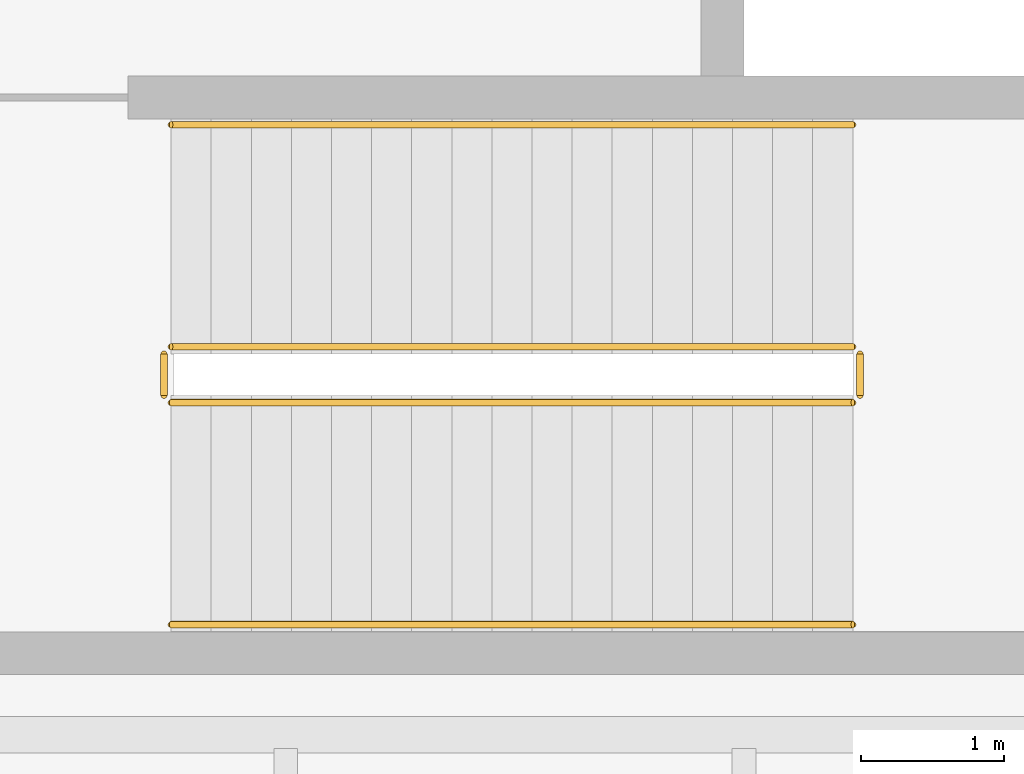
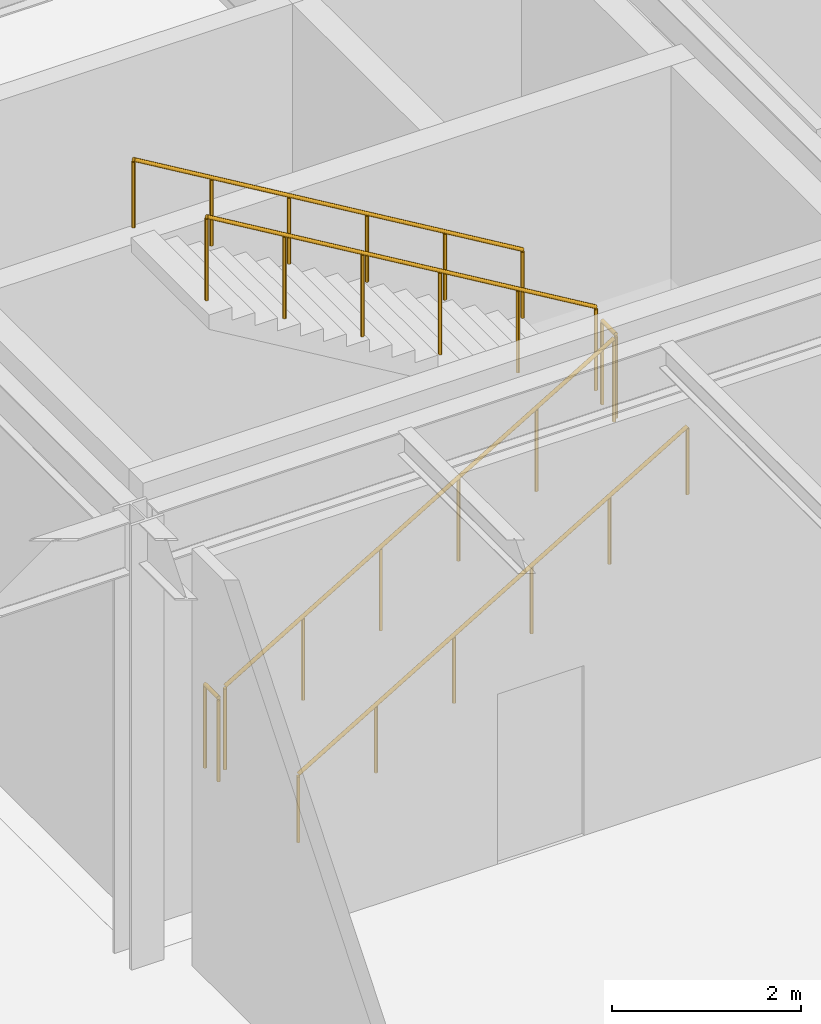
# One storey, part 129 of 142: 6 railings.
"""IFC4 building model written with IfcOpenShell, lengths in metres."""

import ifcopenshell
import ifcopenshell.guid

model = None  # the IFC model being written
_history = None  # IfcOwnerHistory: only IFC2X3 demands one
_inside = {}  # id of a spatial element -> (the spatial element, [elements in it])
_under = {}  # id of a project, library or spatial element -> (it, [spatial elements below it])
_declared = {}  # id of a project -> (the project, [libraries it declares])
_typed = {}  # id of a type object -> (the type object, [elements of that type])
_made_of = {}  # id of a material, layer set ... -> (it, [elements and type objects made of it])


def new_model(schema):
    """Start an empty IFC model of exactly this schema.

    Asked for "IFC4X3", IfcOpenShell would pick the latest addendum, in which some entities
    have other attributes; the version numbers below select the first issue.
    IFC2X3 requires an IfcOwnerHistory on every rooted entity: one is made here for all.
    """
    global model, _history
    if schema == "IFC4X3":
        model = ifcopenshell.file(schema_version=(4, 3, 0, 0))
    else:
        model = ifcopenshell.file(schema=schema)
    _inside.clear()
    _under.clear()
    _declared.clear()
    _typed.clear()
    _made_of.clear()
    _history = None
    if model.schema == "IFC2X3":
        org = make("IfcOrganization", Name="unknown")
        user = make(
            "IfcPersonAndOrganization",
            ThePerson=make("IfcPerson", FamilyName="unknown"),
            TheOrganization=org,
        )
        app = make(
            "IfcApplication",
            ApplicationDeveloper=org,
            Version="unknown",
            ApplicationFullName="unknown",
            ApplicationIdentifier="unknown",
        )
        _history = make(
            "IfcOwnerHistory",
            OwningUser=user,
            OwningApplication=app,
            ChangeAction="ADDED",
            CreationDate=0,
        )
    return model


def make(cls, **values):
    """One entity of the class cls with the attributes given. An attribute that is None is left unset."""
    return model.create_entity(
        cls, **{name: value for name, value in values.items() if value is not None}
    )


def rooted(cls, **values):
    """An entity with a GlobalId (a new one), such as an element, a storey or a relation."""
    return make(cls, GlobalId=ifcopenshell.guid.new(), OwnerHistory=_history, **values)


def si_unit(unit_type, name, prefix=None):
    """IfcSIUnit, for example si_unit("LENGTHUNIT", "METRE", prefix="MILLI")."""
    return make("IfcSIUnit", UnitType=unit_type, Prefix=prefix, Name=name)


def assignment(units):
    """IfcUnitAssignment: the units of a project."""
    return None if units is None else make("IfcUnitAssignment", Units=units)


def point(xyz):
    """IfcCartesianPoint."""
    return None if xyz is None else make("IfcCartesianPoint", Coordinates=xyz)


def direction(xyz):
    """IfcDirection."""
    return None if xyz is None else make("IfcDirection", DirectionRatios=xyz)


def frame(location, z_axis=None, x_axis=None):
    """IfcAxis2Placement3D, a coordinate frame: its origin and axes. An axis left out is left unset."""
    return make(
        "IfcAxis2Placement3D",
        Location=point(location),
        Axis=direction(z_axis),
        RefDirection=direction(x_axis),
    )


def frame_2d(location, x_axis=None):
    """IfcAxis2Placement2D, a coordinate frame in the plane: its origin and x axis."""
    return make(
        "IfcAxis2Placement2D", Location=point(location), RefDirection=direction(x_axis)
    )


def origin():
    """The frame at (0, 0, 0) with its axes left unset."""
    return frame((0.0, 0.0, 0.0))


def origin_2d():
    """The frame at (0, 0) in the plane with its x axis left unset."""
    return frame_2d((0.0, 0.0))


def place(relative_to, where):
    """IfcLocalPlacement: puts the frame where relative to a parent placement (None: the world)."""
    return make(
        "IfcLocalPlacement", PlacementRelTo=relative_to, RelativePlacement=where
    )


def context(
    kind, dimensions, precision=None, world=None, true_north=None, identifier=None
):
    """IfcGeometricRepresentationContext, for example the 3D "Model" context."""
    return make(
        "IfcGeometricRepresentationContext",
        ContextIdentifier=identifier,
        ContextType=kind,
        CoordinateSpaceDimension=dimensions,
        Precision=precision,
        WorldCoordinateSystem=world,
        TrueNorth=true_north,
    )


def subcontext(parent, identifier, kind, view, scale=None):
    """IfcGeometricRepresentationSubContext, for example "Body" below "Model"."""
    return make(
        "IfcGeometricRepresentationSubContext",
        ContextIdentifier=identifier,
        ContextType=kind,
        ParentContext=parent,
        TargetScale=scale,
        TargetView=view,
    )


def project(units=None, contexts=None):
    """IfcProject with its units and contexts."""
    return rooted(
        "IfcProject",
        Name="project",
        RepresentationContexts=contexts,
        UnitsInContext=assignment(units),
    )


def spatial(cls, under=None, at=None, **own):
    """A site, building, storey or space (cls), placed at a placement, below another one or the project."""
    s = rooted(cls, ObjectPlacement=at, **own)
    if under is not None:
        _under.setdefault(under.id(), (under, []))[1].append(s)
    return s


def profile(cls, at=None, kind="AREA", **sizes):
    """A parametric profile (cls). Its sizes go by their IFC names, for example OverallWidth=200.0."""
    return make(cls, ProfileType=kind, Position=at, **sizes)


def circle(**sizes):
    """IfcCircleProfileDef."""
    return profile("IfcCircleProfileDef", **sizes)


def extrude(swept, where, along, depth):
    """IfcExtrudedAreaSolid: the profile swept, set in the frame where, extruded along a direction by depth."""
    return make(
        "IfcExtrudedAreaSolid",
        SweptArea=swept,
        Position=where,
        ExtrudedDirection=direction(along),
        Depth=depth,
    )


def shape(context_of_items, identifier, shape_type, items):
    """IfcShapeRepresentation: the items that make up one representation, for example the "Body"."""
    return make(
        "IfcShapeRepresentation",
        ContextOfItems=context_of_items,
        RepresentationIdentifier=identifier,
        RepresentationType=shape_type,
        Items=items,
    )


def material(Name=None, Category=None):
    """IfcMaterial."""
    return make("IfcMaterial", Name=Name, Category=Category)


def made_of(thing, what):
    """Note that an element or type object is made of a material, layer set ...; save() writes the relation."""
    if what is not None:
        _made_of.setdefault(what.id(), (what, []))[1].append(thing)
    return thing


def type_object(cls, material=None, **own):
    """A type object (cls), such as IfcWallType, which elements share."""
    return made_of(rooted(cls, **own), material)


def element(
    cls,
    number,
    at=None,
    inside=None,
    cuts=None,
    type_object=None,
    material=None,
    context=None,
    identifier="Body",
    shape_type=None,
    held_by="IfcProductDefinitionShape",
    body=None,
    shapes=None,
    **own,
):
    """One element of the class cls, such as IfcWall. Its Tag is "e" and its number.

    at: its placement. inside: the storey or other place that contains it. cuts: it is an
    opening in that element (IfcRelVoidsElement). A single representation is given by context,
    identifier, shape_type and body (its items); several are given by shapes. held_by: the class
    of the entity that holds the representations. save() writes the other relations.
    """
    e = rooted(cls, Tag="e%d" % number, ObjectPlacement=at, **own)
    if body is not None:
        shapes = [shape(context, identifier, shape_type, body)]
    if shapes is not None:
        e.Representation = make(held_by, Representations=shapes)
    if inside is not None:
        _inside.setdefault(inside.id(), (inside, []))[1].append(e)
    if cuts is not None:
        rooted(
            "IfcRelVoidsElement", RelatingBuildingElement=cuts, RelatedOpeningElement=e
        )
    if type_object is not None:
        _typed.setdefault(type_object.id(), (type_object, []))[1].append(e)
    return made_of(e, material)


def aggregate(whole, parts):
    """IfcRelAggregates: a whole, such as a stair, and the parts it consists of."""
    return rooted("IfcRelAggregates", RelatingObject=whole, RelatedObjects=parts)


def save(model, path):
    """Write the relations noted so far, then the file.

    IfcRelAggregates (storeys below a building ...), IfcRelContainedInSpatialStructure (elements
    in a storey), IfcRelDefinesByType, IfcRelAssociatesMaterial and IfcRelDeclares: one each for
    every whole, place, type object, material and project.
    """
    for whole, parts in _under.values():
        aggregate(whole, parts)
    for where, things in _inside.values():
        rooted(
            "IfcRelContainedInSpatialStructure",
            RelatedElements=things,
            RelatingStructure=where,
        )
    for kind, things in _typed.values():
        rooted("IfcRelDefinesByType", RelatedObjects=things, RelatingType=kind)
    for what, things in _made_of.values():
        rooted("IfcRelAssociatesMaterial", RelatedObjects=things, RelatingMaterial=what)
    for by, libraries in _declared.values():
        rooted("IfcRelDeclares", RelatingContext=by, RelatedDefinitions=libraries)
    model.write(path)


model = new_model("IFC4")

# Units and contexts
model_context = context("Model", 3, precision=1e-05, world=origin(), true_north=direction((0.0, 1.0)))
body_context = subcontext(model_context, "Body", "Model", "MODEL_VIEW")
ifc_project = project(units=[si_unit("LENGTHUNIT", "METRE"), si_unit("AREAUNIT", "SQUARE_METRE"), si_unit("VOLUMEUNIT", "CUBIC_METRE"), si_unit("PLANEANGLEUNIT", "RADIAN"), si_unit("MASSUNIT", "GRAM", prefix="KILO")], contexts=[model_context])

# Site, building, storey
site_placement = place(None, origin())
site = spatial("IfcSite", under=ifc_project, at=site_placement, CompositionType="ELEMENT")
building_placement = place(site_placement, origin())
building = spatial("IfcBuilding", under=site, at=building_placement, Name="Coralgate Yard Interchange", CompositionType="ELEMENT")
storey_placement = place(building_placement, origin())
storey = spatial("IfcBuildingStorey", under=building, at=storey_placement, Name="L00", CompositionType="ELEMENT", Elevation=0.0)

# Railings
ifc_material_1 = material(Name="Grade 316 marine stainless steel and toughened glass balustrade", Category="steel")
railing_type_1 = type_object("IfcRailingType", Name="RLG-GD1100", PredefinedType="BALUSTRADE", material=ifc_material_1)
railing_1_placement = place(storey_placement, frame((50.39990234375, 11.919921875, 0.166748046875)))
element("IfcRailing", 1, at=railing_1_placement, inside=storey, type_object=railing_type_1, Name="L00 ST-02 stair guard 1", PredefinedType="BALUSTRADE", context=body_context, shape_type="SweptSolid", body=[
    extrude(circle(Radius=0.02392578125, at=origin_2d()), frame((0.0, 0.0, 1.076171875), z_axis=(0.859299802514, 0.0, 0.511472237174), x_axis=(0.0, 1.0, 0.0)), (0.0, 0.0, 1.0), 5.539306640625),
    extrude(circle(Radius=0.02099609375, at=origin_2d()), origin(), (0.0, 0.0, 1.0), 1.051513671875),
    extrude(circle(Radius=0.02099609375, at=origin_2d()), frame((0.951904296875, 0.0, 0.566650390625)), (0.0, 0.0, 1.0), 1.051513671875),
    extrude(circle(Radius=0.02099609375, at=origin_2d()), frame((1.904052734375, 0.0, 1.13330078125)), (0.0, 0.0, 1.0), 1.051513671875),
    extrude(circle(Radius=0.02099609375, at=origin_2d()), frame((2.85595703125, 0.0, 1.699951171875)), (0.0, 0.0, 1.0), 1.051513671875),
    extrude(circle(Radius=0.02099609375, at=origin_2d()), frame((3.80810546875, 0.0, 2.2666015625)), (0.0, 0.0, 1.0), 1.051513671875),
    extrude(circle(Radius=0.02099609375, at=origin_2d()), frame((4.760009765625, 0.0, 2.833251953125)), (0.0, 0.0, 1.0), 1.051513671875),
])
railing_2_placement = place(storey_placement, frame((55.2099609375, 11.969970703125, 3.0)))
element("IfcRailing", 2, at=railing_2_placement, inside=storey, type_object=railing_type_1, Name="L00 ST-02 stair guard 2", PredefinedType="BALUSTRADE", context=body_context, shape_type="SweptSolid", body=[
    extrude(circle(Radius=0.02392578125, at=origin_2d()), frame((0.0, 0.0, 1.076171875), z_axis=(0.0, 1.0, 0.0), x_axis=(-1.0, 0.0, 0.0)), (0.0, 0.0, 1.0), 0.2900390625),
    extrude(circle(Radius=0.02099609375, at=origin_2d()), origin(), (0.0, 0.0, 1.0), 1.051513671875),
    extrude(circle(Radius=0.02099609375, at=origin_2d()), frame((0.0, 0.2900390625, 0.0)), (0.0, 0.0, 1.0), 1.051513671875),
])
railing_3_placement = place(storey_placement, frame((55.159912109375, 12.31005859375, 3.166748046875)))
element("IfcRailing", 3, at=railing_3_placement, inside=storey, type_object=railing_type_1, Name="L00 ST-02 stair guard 3", PredefinedType="BALUSTRADE", context=body_context, shape_type="SweptSolid", body=[
    extrude(circle(Radius=0.02392578125, at=origin_2d()), frame((0.0, 0.0, 1.076171875), z_axis=(-0.859299802514, 0.0, 0.511472237174), x_axis=(0.0, -1.0, 0.0)), (0.0, 0.0, 1.0), 5.539306640625),
    extrude(circle(Radius=0.02099609375, at=origin_2d()), origin(), (0.0, 0.0, 1.0), 1.051513671875),
    extrude(circle(Radius=0.02099609375, at=origin_2d()), frame((-0.951904296875, 0.0, 0.566650390625)), (0.0, 0.0, 1.0), 1.051513671875),
    extrude(circle(Radius=0.02099609375, at=origin_2d()), frame((-1.904052734375, 0.0, 1.13330078125)), (0.0, 0.0, 1.0), 1.051513671875),
    extrude(circle(Radius=0.02099609375, at=origin_2d()), frame((-2.85595703125, 0.0, 1.699951171875)), (0.0, 0.0, 1.0), 1.051513671875),
    extrude(circle(Radius=0.02099609375, at=origin_2d()), frame((-3.80810546875, 0.0, 2.2666015625)), (0.0, 0.0, 1.0), 1.051513671875),
    extrude(circle(Radius=0.02099609375, at=origin_2d()), frame((-4.760009765625, 0.0, 2.833251953125)), (0.0, 0.0, 1.0), 1.051513671875),
])
railing_4_placement = place(storey_placement, frame((50.35009765625, 11.969970703125, 0.0)))
element("IfcRailing", 4, at=railing_4_placement, inside=storey, type_object=railing_type_1, Name="L00 ST-02 stair guard 4", PredefinedType="BALUSTRADE", context=body_context, shape_type="SweptSolid", body=[
    extrude(circle(Radius=0.02392578125, at=origin_2d()), frame((0.0, 0.0, 1.076171875), z_axis=(0.0, 1.0, 0.0), x_axis=(-1.0, 0.0, 0.0)), (0.0, 0.0, 1.0), 0.2900390625),
    extrude(circle(Radius=0.02099609375, at=origin_2d()), origin(), (0.0, 0.0, 1.0), 1.051513671875),
    extrude(circle(Radius=0.02099609375, at=origin_2d()), frame((0.0, 0.2900390625, 0.0)), (0.0, 0.0, 1.0), 1.051513671875),
])
ifc_material_2 = material(Name="Grade 316 marine stainless steel", Category="steel")
railing_type_2 = type_object("IfcRailingType", Name="RLG-HR900", PredefinedType="HANDRAIL", material=ifc_material_2)
railing_5_placement = place(storey_placement, frame((50.39990234375, 10.3701171875, 0.166748046875)))
element("IfcRailing", 5, at=railing_5_placement, inside=storey, type_object=railing_type_2, Name="L00 ST-02 stair handrail 1", PredefinedType="HANDRAIL", context=body_context, shape_type="SweptSolid", body=[
    extrude(circle(Radius=0.02392578125, at=origin_2d()), frame((0.0, 0.0, 0.8759765625), z_axis=(0.859299802514, 0.0, 0.511472237174), x_axis=(0.0, 1.0, 0.0)), (0.0, 0.0, 1.0), 5.539306640625),
    extrude(circle(Radius=0.02099609375, at=origin_2d()), origin(), (0.0, 0.0, 1.0), 0.851318359375),
    extrude(circle(Radius=0.02099609375, at=origin_2d()), frame((0.951904296875, 0.0, 0.566650390625)), (0.0, 0.0, 1.0), 0.851318359375),
    extrude(circle(Radius=0.02099609375, at=origin_2d()), frame((1.904052734375, 0.0, 1.13330078125)), (0.0, 0.0, 1.0), 0.851318359375),
    extrude(circle(Radius=0.02099609375, at=origin_2d()), frame((2.85595703125, 0.0, 1.699951171875)), (0.0, 0.0, 1.0), 0.851318359375),
    extrude(circle(Radius=0.02099609375, at=origin_2d()), frame((3.80810546875, 0.0, 2.2666015625)), (0.0, 0.0, 1.0), 0.851318359375),
    extrude(circle(Radius=0.02099609375, at=origin_2d()), frame((4.760009765625, 0.0, 2.833251953125)), (0.0, 0.0, 1.0), 0.851318359375),
])
railing_6_placement = place(storey_placement, frame((55.159912109375, 13.860107421875, 3.166748046875)))
element("IfcRailing", 6, at=railing_6_placement, inside=storey, type_object=railing_type_2, Name="L00 ST-02 stair handrail 2", PredefinedType="HANDRAIL", context=body_context, shape_type="SweptSolid", body=[
    extrude(circle(Radius=0.02392578125, at=origin_2d()), frame((0.0, 0.0, 0.8759765625), z_axis=(-0.859299802514, 0.0, 0.511472237174), x_axis=(0.0, -1.0, 0.0)), (0.0, 0.0, 1.0), 5.539306640625),
    extrude(circle(Radius=0.02099609375, at=origin_2d()), origin(), (0.0, 0.0, 1.0), 0.851318359375),
    extrude(circle(Radius=0.02099609375, at=origin_2d()), frame((-0.951904296875, 0.0, 0.566650390625)), (0.0, 0.0, 1.0), 0.851318359375),
    extrude(circle(Radius=0.02099609375, at=origin_2d()), frame((-1.904052734375, 0.0, 1.13330078125)), (0.0, 0.0, 1.0), 0.851318359375),
    extrude(circle(Radius=0.02099609375, at=origin_2d()), frame((-2.85595703125, 0.0, 1.699951171875)), (0.0, 0.0, 1.0), 0.851318359375),
    extrude(circle(Radius=0.02099609375, at=origin_2d()), frame((-3.80810546875, 0.0, 2.2666015625)), (0.0, 0.0, 1.0), 0.851318359375),
    extrude(circle(Radius=0.02099609375, at=origin_2d()), frame((-4.760009765625, 0.0, 2.833251953125)), (0.0, 0.0, 1.0), 0.851318359375),
])

save(model, "model.ifc")
